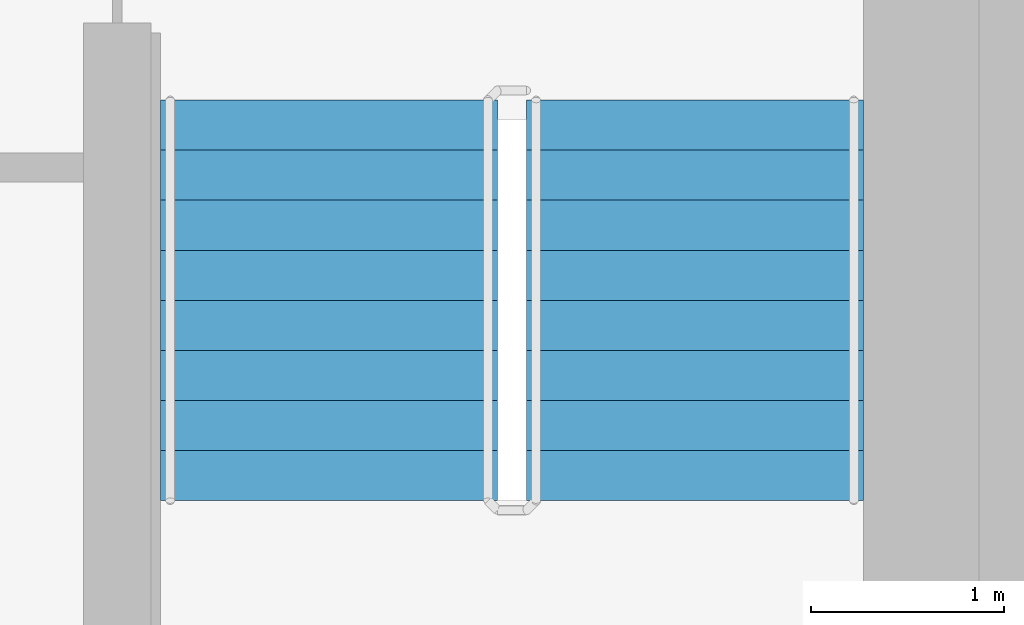
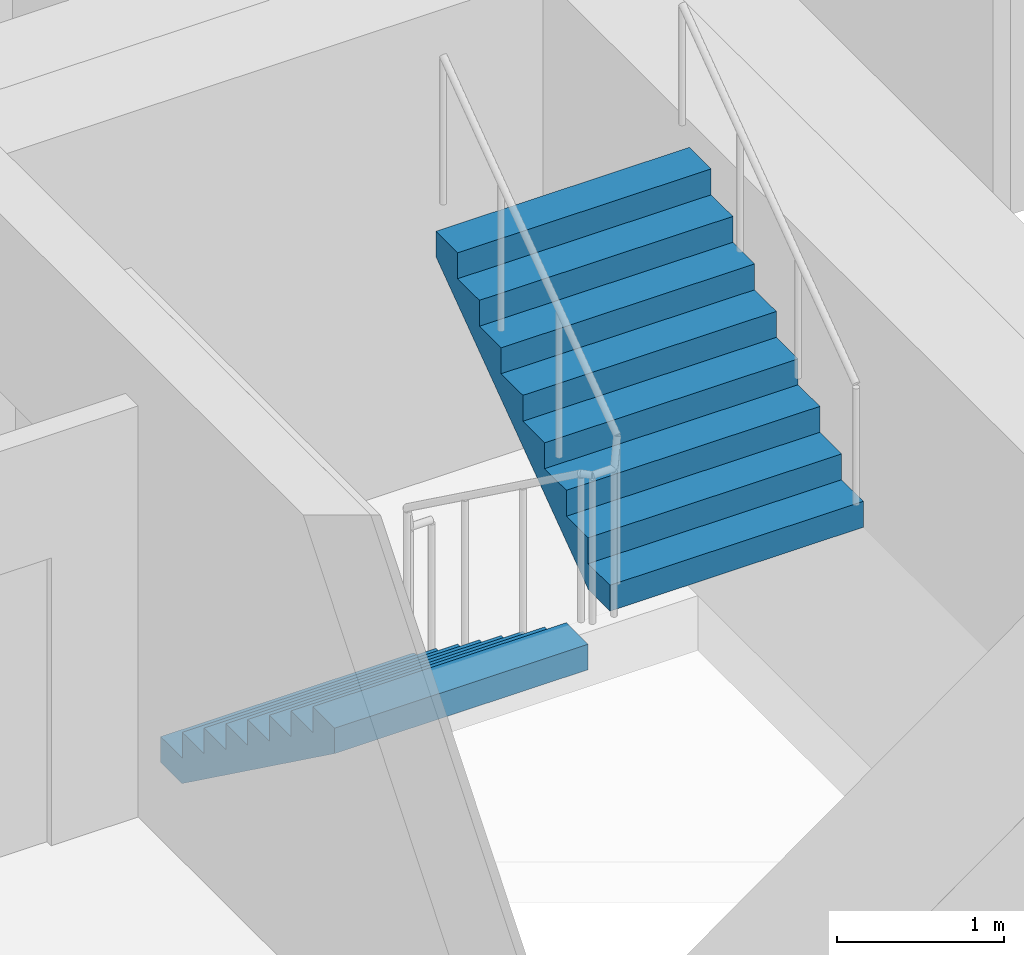
# One storey, part 14 of 18: 2 stair flights, 1 element without a shape of its own.
"""IFC4 building model written with IfcOpenShell, lengths in metres."""

from ifc_helpers import new_model, si_unit, direction, frame, origin, place, context, subcontext, project, spatial, faceted_brep, material, type_object, element, aggregate, save


model = new_model("IFC4")

# Units and contexts
model_context = context("Model", 3, precision=1e-05, world=origin(), true_north=direction((0.0, 1.0)))
body_context = subcontext(model_context, "Body", "Model", "MODEL_VIEW")
ifc_project = project(units=[si_unit("LENGTHUNIT", "METRE"), si_unit("AREAUNIT", "SQUARE_METRE"), si_unit("VOLUMEUNIT", "CUBIC_METRE"), si_unit("PLANEANGLEUNIT", "RADIAN"), si_unit("MASSUNIT", "GRAM", prefix="KILO")], contexts=[model_context])

# Site, building, storey
site_placement = place(None, origin())
site = spatial("IfcSite", under=ifc_project, at=site_placement, CompositionType="ELEMENT")
building_placement = place(site_placement, origin())
building = spatial("IfcBuilding", under=site, at=building_placement, Name="Ipe Terrace Towers", CompositionType="ELEMENT")
storey_placement = place(building_placement, frame((0.0, 0.0, 219.800048828125)))
storey = spatial("IfcBuildingStorey", under=building, at=storey_placement, Name="L61", CompositionType="ELEMENT", Elevation=219.800048828125)

# Stair, stair flights
ifc_material_1 = material(Name="Concrete C30/37", Category="concrete")
stair_type = type_object("IfcStairType", Name="Protected exit stair", PredefinedType="HALF_TURN_STAIR", material=ifc_material_1)
stair_placement = place(storey_placement, origin())
stair = element("IfcStair", 1, at=stair_placement, inside=storey, type_object=stair_type, Name="L61 Exit stair T2-C2", PredefinedType="HALF_TURN_STAIR")
ifc_material_2 = material(Name="Concrete C30/37", Category="concrete")
stair_flight_type = type_object("IfcStairFlightType", Name="Exit stair flight 1750", PredefinedType="STRAIGHT", material=ifc_material_2)
stair_flight_1_placement = place(storey_placement, frame((38.77490234375, -9.699951171875, 0.0), z_axis=(0.0, 0.0, 1.0), x_axis=(0.0, -1.0, 0.0)))
stair_flight_1 = element("IfcStairFlight", 2, at=stair_flight_1_placement, type_object=stair_flight_type, Name="T2-ST2 flight 1", NumberOfRisers=9, NumberOfTreads=8, PredefinedType="STRAIGHT", RiserHeight=0.188888889, TreadLength=0.26, context=body_context, shape_type="Brep", body=[
    faceted_brep([(0.255126953125, -0.875, 0.0), (2.080078125, -0.875, 1.325927734375), (2.080078125, -0.875, 1.51123046875), (1.820068359375, -0.875, 1.51123046875), (1.820068359375, -0.875, 1.322265625), (1.56005859375, -0.875, 1.322265625), (1.56005859375, -0.875, 1.13330078125), (1.300048828125, -0.875, 1.13330078125), (1.300048828125, -0.875, 0.9443359375), (1.0400390625, -0.875, 0.9443359375), (1.0400390625, -0.875, 0.755615234375), (0.780029296875, -0.875, 0.755615234375), (0.780029296875, -0.875, 0.566650390625), (0.52001953125, -0.875, 0.566650390625), (0.52001953125, -0.875, 0.377685546875), (0.260009765625, -0.875, 0.377685546875), (0.260009765625, -0.875, 0.18896484375), (0.0, -0.875, 0.18896484375), (0.0, -0.875, 0.0), (0.0, 0.875, 0.0), (0.0, 0.875, 0.18896484375), (0.260009765625, 0.875, 0.18896484375), (0.260009765625, 0.875, 0.377685546875), (0.52001953125, 0.875, 0.377685546875), (0.52001953125, 0.875, 0.566650390625), (0.780029296875, 0.875, 0.566650390625), (0.780029296875, 0.875, 0.755615234375), (1.0400390625, 0.875, 0.755615234375), (1.0400390625, 0.875, 0.9443359375), (1.300048828125, 0.875, 0.9443359375), (1.300048828125, 0.875, 1.13330078125), (1.56005859375, 0.875, 1.13330078125), (1.56005859375, 0.875, 1.322265625), (1.820068359375, 0.875, 1.322265625), (1.820068359375, 0.875, 1.51123046875), (2.080078125, 0.875, 1.51123046875), (2.080078125, 0.875, 1.325927734375), (0.255126953125, 0.875, 0.0), (0.0, -0.300048828125, 0.18896484375), (0.0, -0.1201171875, 0.18896484375), (0.0, -0.06005859375, 0.18896484375), (0.0, -0.030029296875, 0.18896484375), (0.0, -0.010009765625, 0.18896484375), (0.0, 0.0, 0.18896484375), (0.0, 0.010009765625, 0.18896484375), (0.0, 0.030029296875, 0.18896484375), (0.0, 0.06005859375, 0.18896484375), (0.0, 0.1201171875, 0.18896484375), (0.0, 0.300048828125, 0.18896484375), (0.0, 0.300048828125, 0.0), (0.0, 0.1201171875, 0.0), (0.0, 0.06005859375, 0.0), (0.0, 0.030029296875, 0.0), (0.0, 0.010009765625, 0.0), (0.0, 0.0, 0.0), (0.0, -0.010009765625, 0.0), (0.0, -0.030029296875, 0.0), (0.0, -0.06005859375, 0.0), (0.0, -0.1201171875, 0.0), (0.0, -0.300048828125, 0.0), (0.260009765625, -0.300048828125, 0.18896484375), (0.260009765625, -0.1201171875, 0.18896484375), (0.260009765625, -0.06005859375, 0.18896484375), (0.260009765625, -0.030029296875, 0.18896484375), (0.260009765625, -0.010009765625, 0.18896484375), (0.260009765625, 0.0, 0.18896484375), (0.260009765625, 0.010009765625, 0.18896484375), (0.260009765625, 0.030029296875, 0.18896484375), (0.260009765625, 0.06005859375, 0.18896484375), (0.260009765625, 0.1201171875, 0.18896484375), (0.260009765625, 0.300048828125, 0.18896484375), (0.260009765625, -0.300048828125, 0.377685546875), (0.260009765625, -0.1201171875, 0.377685546875), (0.260009765625, -0.06005859375, 0.377685546875), (0.260009765625, -0.030029296875, 0.377685546875), (0.260009765625, -0.010009765625, 0.377685546875), (0.260009765625, 0.0, 0.377685546875), (0.260009765625, 0.010009765625, 0.377685546875), (0.260009765625, 0.030029296875, 0.377685546875), (0.260009765625, 0.06005859375, 0.377685546875), (0.260009765625, 0.1201171875, 0.377685546875), (0.260009765625, 0.300048828125, 0.377685546875), (0.52001953125, -0.300048828125, 0.377685546875), (0.52001953125, -0.1201171875, 0.377685546875), (0.52001953125, -0.06005859375, 0.377685546875), (0.52001953125, -0.030029296875, 0.377685546875), (0.52001953125, -0.010009765625, 0.377685546875), (0.52001953125, 0.0, 0.377685546875), (0.52001953125, 0.010009765625, 0.377685546875), (0.52001953125, 0.030029296875, 0.377685546875), (0.52001953125, 0.06005859375, 0.377685546875), (0.52001953125, 0.1201171875, 0.377685546875), (0.52001953125, 0.300048828125, 0.377685546875), (0.52001953125, -0.300048828125, 0.566650390625), (0.52001953125, -0.1201171875, 0.566650390625), (0.52001953125, -0.06005859375, 0.566650390625), (0.52001953125, -0.030029296875, 0.566650390625), (0.52001953125, -0.010009765625, 0.566650390625), (0.52001953125, 0.0, 0.566650390625), (0.52001953125, 0.010009765625, 0.566650390625), (0.52001953125, 0.030029296875, 0.566650390625), (0.52001953125, 0.06005859375, 0.566650390625), (0.52001953125, 0.1201171875, 0.566650390625), (0.52001953125, 0.300048828125, 0.566650390625), (0.780029296875, -0.300048828125, 0.566650390625), (0.780029296875, -0.1201171875, 0.566650390625), (0.780029296875, -0.06005859375, 0.566650390625), (0.780029296875, -0.030029296875, 0.566650390625), (0.780029296875, -0.010009765625, 0.566650390625), (0.780029296875, 0.0, 0.566650390625), (0.780029296875, 0.010009765625, 0.566650390625), (0.780029296875, 0.030029296875, 0.566650390625), (0.780029296875, 0.06005859375, 0.566650390625), (0.780029296875, 0.1201171875, 0.566650390625), (0.780029296875, 0.300048828125, 0.566650390625), (0.780029296875, -0.300048828125, 0.755615234375), (0.780029296875, -0.1201171875, 0.755615234375), (0.780029296875, -0.06005859375, 0.755615234375), (0.780029296875, -0.030029296875, 0.755615234375), (0.780029296875, -0.010009765625, 0.755615234375), (0.780029296875, 0.0, 0.755615234375), (0.780029296875, 0.010009765625, 0.755615234375), (0.780029296875, 0.030029296875, 0.755615234375), (0.780029296875, 0.06005859375, 0.755615234375), (0.780029296875, 0.1201171875, 0.755615234375), (0.780029296875, 0.300048828125, 0.755615234375), (1.0400390625, -0.300048828125, 0.755615234375), (1.0400390625, -0.1201171875, 0.755615234375), (1.0400390625, -0.06005859375, 0.755615234375), (1.0400390625, -0.030029296875, 0.755615234375), (1.0400390625, -0.010009765625, 0.755615234375), (1.0400390625, 0.0, 0.755615234375), (1.0400390625, 0.010009765625, 0.755615234375), (1.0400390625, 0.030029296875, 0.755615234375), (1.0400390625, 0.06005859375, 0.755615234375), (1.0400390625, 0.1201171875, 0.755615234375), (1.0400390625, 0.300048828125, 0.755615234375), (1.0400390625, -0.300048828125, 0.9443359375), (1.0400390625, -0.1201171875, 0.9443359375), (1.0400390625, -0.06005859375, 0.9443359375), (1.0400390625, -0.030029296875, 0.9443359375), (1.0400390625, -0.010009765625, 0.9443359375), (1.0400390625, 0.0, 0.9443359375), (1.0400390625, 0.010009765625, 0.9443359375), (1.0400390625, 0.030029296875, 0.9443359375), (1.0400390625, 0.06005859375, 0.9443359375), (1.0400390625, 0.1201171875, 0.9443359375), (1.0400390625, 0.300048828125, 0.9443359375), (1.300048828125, -0.300048828125, 0.9443359375), (1.300048828125, -0.1201171875, 0.9443359375), (1.300048828125, -0.06005859375, 0.9443359375), (1.300048828125, -0.030029296875, 0.9443359375), (1.300048828125, -0.010009765625, 0.9443359375), (1.300048828125, 0.0, 0.9443359375), (1.300048828125, 0.010009765625, 0.9443359375), (1.300048828125, 0.030029296875, 0.9443359375), (1.300048828125, 0.06005859375, 0.9443359375), (1.300048828125, 0.1201171875, 0.9443359375), (1.300048828125, 0.300048828125, 0.9443359375), (1.300048828125, -0.300048828125, 1.13330078125), (1.300048828125, -0.1201171875, 1.13330078125), (1.300048828125, -0.06005859375, 1.13330078125), (1.300048828125, -0.030029296875, 1.13330078125), (1.300048828125, -0.010009765625, 1.13330078125), (1.300048828125, 0.0, 1.13330078125), (1.300048828125, 0.010009765625, 1.13330078125), (1.300048828125, 0.030029296875, 1.13330078125), (1.300048828125, 0.06005859375, 1.13330078125), (1.300048828125, 0.1201171875, 1.13330078125), (1.300048828125, 0.300048828125, 1.13330078125), (1.56005859375, -0.300048828125, 1.13330078125), (1.56005859375, -0.1201171875, 1.13330078125), (1.56005859375, -0.06005859375, 1.13330078125), (1.56005859375, -0.030029296875, 1.13330078125), (1.56005859375, -0.010009765625, 1.13330078125), (1.56005859375, 0.0, 1.13330078125), (1.56005859375, 0.010009765625, 1.13330078125), (1.56005859375, 0.030029296875, 1.13330078125), (1.56005859375, 0.06005859375, 1.13330078125), (1.56005859375, 0.1201171875, 1.13330078125), (1.56005859375, 0.300048828125, 1.13330078125), (1.56005859375, -0.300048828125, 1.322265625), (1.56005859375, -0.1201171875, 1.322265625), (1.56005859375, -0.06005859375, 1.322265625), (1.56005859375, -0.030029296875, 1.322265625), (1.56005859375, -0.010009765625, 1.322265625), (1.56005859375, 0.0, 1.322265625), (1.56005859375, 0.010009765625, 1.322265625), (1.56005859375, 0.030029296875, 1.322265625), (1.56005859375, 0.06005859375, 1.322265625), (1.56005859375, 0.1201171875, 1.322265625), (1.56005859375, 0.300048828125, 1.322265625), (1.820068359375, -0.300048828125, 1.322265625), (1.820068359375, -0.1201171875, 1.322265625), (1.820068359375, -0.06005859375, 1.322265625), (1.820068359375, -0.030029296875, 1.322265625), (1.820068359375, -0.010009765625, 1.322265625), (1.820068359375, 0.0, 1.322265625), (1.820068359375, 0.010009765625, 1.322265625), (1.820068359375, 0.030029296875, 1.322265625), (1.820068359375, 0.06005859375, 1.322265625), (1.820068359375, 0.1201171875, 1.322265625), (1.820068359375, 0.300048828125, 1.322265625), (1.820068359375, -0.300048828125, 1.51123046875), (1.820068359375, -0.1201171875, 1.51123046875), (1.820068359375, -0.06005859375, 1.51123046875), (1.820068359375, -0.030029296875, 1.51123046875), (1.820068359375, -0.010009765625, 1.51123046875), (1.820068359375, 0.0, 1.51123046875), (1.820068359375, 0.010009765625, 1.51123046875), (1.820068359375, 0.030029296875, 1.51123046875), (1.820068359375, 0.06005859375, 1.51123046875), (1.820068359375, 0.1201171875, 1.51123046875), (1.820068359375, 0.300048828125, 1.51123046875), (2.080078125, -0.300048828125, 1.51123046875), (2.080078125, -0.1201171875, 1.51123046875), (2.080078125, -0.06005859375, 1.51123046875), (2.080078125, -0.030029296875, 1.51123046875), (2.080078125, -0.010009765625, 1.51123046875), (2.080078125, 0.0, 1.51123046875), (2.080078125, 0.010009765625, 1.51123046875), (2.080078125, 0.030029296875, 1.51123046875), (2.080078125, 0.06005859375, 1.51123046875), (2.080078125, 0.1201171875, 1.51123046875), (2.080078125, 0.300048828125, 1.51123046875), (2.080078125, -0.300048828125, 1.325927734375), (2.080078125, -0.1201171875, 1.325927734375), (2.080078125, -0.06005859375, 1.325927734375), (2.080078125, -0.030029296875, 1.325927734375), (2.080078125, -0.010009765625, 1.325927734375), (2.080078125, 0.0, 1.325927734375), (2.080078125, 0.010009765625, 1.325927734375), (2.080078125, 0.030029296875, 1.325927734375), (2.080078125, 0.06005859375, 1.325927734375), (2.080078125, 0.1201171875, 1.325927734375), (2.080078125, 0.300048828125, 1.325927734375), (0.255126953125, -0.300048828125, 0.0), (0.255126953125, -0.1201171875, 0.0), (0.255126953125, -0.06005859375, 0.0), (0.255126953125, -0.030029296875, 0.0), (0.255126953125, -0.010009765625, 0.0), (0.255126953125, 0.0, 0.0), (0.255126953125, 0.010009765625, 0.0), (0.255126953125, 0.030029296875, 0.0), (0.255126953125, 0.06005859375, 0.0), (0.255126953125, 0.1201171875, 0.0), (0.255126953125, 0.300048828125, 0.0)], [[[0, 1, 2, 3, 4, 5, 6, 7, 8, 9, 10, 11, 12, 13, 14, 15, 16, 17, 18]], [[19, 20, 21, 22, 23, 24, 25, 26, 27, 28, 29, 30, 31, 32, 33, 34, 35, 36, 37]], [[17, 38, 39, 40, 41, 42, 43, 44, 45, 46, 47, 48, 20, 19, 49, 50, 51, 52, 53, 54, 55, 56, 57, 58, 59, 18]], [[16, 60, 61, 62, 63, 64, 65, 66, 67, 68, 69, 70, 21, 20, 48, 47, 46, 45, 44, 43, 42, 41, 40, 39, 38, 17]], [[15, 71, 72, 73, 74, 75, 76, 77, 78, 79, 80, 81, 22, 21, 70, 69, 68, 67, 66, 65, 64, 63, 62, 61, 60, 16]], [[14, 82, 83, 84, 85, 86, 87, 88, 89, 90, 91, 92, 23, 22, 81, 80, 79, 78, 77, 76, 75, 74, 73, 72, 71, 15]], [[13, 93, 94, 95, 96, 97, 98, 99, 100, 101, 102, 103, 24, 23, 92, 91, 90, 89, 88, 87, 86, 85, 84, 83, 82, 14]], [[12, 104, 105, 106, 107, 108, 109, 110, 111, 112, 113, 114, 25, 24, 103, 102, 101, 100, 99, 98, 97, 96, 95, 94, 93, 13]], [[11, 115, 116, 117, 118, 119, 120, 121, 122, 123, 124, 125, 26, 25, 114, 113, 112, 111, 110, 109, 108, 107, 106, 105, 104, 12]], [[10, 126, 127, 128, 129, 130, 131, 132, 133, 134, 135, 136, 27, 26, 125, 124, 123, 122, 121, 120, 119, 118, 117, 116, 115, 11]], [[9, 137, 138, 139, 140, 141, 142, 143, 144, 145, 146, 147, 28, 27, 136, 135, 134, 133, 132, 131, 130, 129, 128, 127, 126, 10]], [[8, 148, 149, 150, 151, 152, 153, 154, 155, 156, 157, 158, 29, 28, 147, 146, 145, 144, 143, 142, 141, 140, 139, 138, 137, 9]], [[7, 159, 160, 161, 162, 163, 164, 165, 166, 167, 168, 169, 30, 29, 158, 157, 156, 155, 154, 153, 152, 151, 150, 149, 148, 8]], [[6, 170, 171, 172, 173, 174, 175, 176, 177, 178, 179, 180, 31, 30, 169, 168, 167, 166, 165, 164, 163, 162, 161, 160, 159, 7]], [[5, 181, 182, 183, 184, 185, 186, 187, 188, 189, 190, 191, 32, 31, 180, 179, 178, 177, 176, 175, 174, 173, 172, 171, 170, 6]], [[4, 192, 193, 194, 195, 196, 197, 198, 199, 200, 201, 202, 33, 32, 191, 190, 189, 188, 187, 186, 185, 184, 183, 182, 181, 5]], [[3, 203, 204, 205, 206, 207, 208, 209, 210, 211, 212, 213, 34, 33, 202, 201, 200, 199, 198, 197, 196, 195, 194, 193, 192, 4]], [[2, 214, 215, 216, 217, 218, 219, 220, 221, 222, 223, 224, 35, 34, 213, 212, 211, 210, 209, 208, 207, 206, 205, 204, 203, 3]], [[1, 225, 226, 227, 228, 229, 230, 231, 232, 233, 234, 235, 36, 35, 224, 223, 222, 221, 220, 219, 218, 217, 216, 215, 214, 2]], [[0, 236, 237, 238, 239, 240, 241, 242, 243, 244, 245, 246, 37, 36, 235, 234, 233, 232, 231, 230, 229, 228, 227, 226, 225, 1]], [[18, 59, 58, 57, 56, 55, 54, 53, 52, 51, 50, 49, 19, 37, 246, 245, 244, 243, 242, 241, 240, 239, 238, 237, 236, 0]]]),
])
stair_flight_2_placement = place(storey_placement, frame((40.675048828125, -11.780029296875, 1.699951171875), z_axis=(0.0, 0.0, 1.0), x_axis=(0.0, 1.0, 0.0)))
stair_flight_2 = element("IfcStairFlight", 3, at=stair_flight_2_placement, type_object=stair_flight_type, Name="T2-ST2 flight 2", NumberOfRisers=9, NumberOfTreads=8, PredefinedType="STRAIGHT", RiserHeight=0.188888889, TreadLength=0.26, context=body_context, shape_type="Brep", body=[
    faceted_brep([(0.255126953125, -0.875, 0.0), (2.080078125, -0.875, 1.325927734375), (2.080078125, -0.875, 1.51123046875), (1.820068359375, -0.875, 1.51123046875), (1.820068359375, -0.875, 1.322265625), (1.56005859375, -0.875, 1.322265625), (1.56005859375, -0.875, 1.13330078125), (1.300048828125, -0.875, 1.13330078125), (1.300048828125, -0.875, 0.9443359375), (1.0400390625, -0.875, 0.9443359375), (1.0400390625, -0.875, 0.755615234375), (0.780029296875, -0.875, 0.755615234375), (0.780029296875, -0.875, 0.566650390625), (0.52001953125, -0.875, 0.566650390625), (0.52001953125, -0.875, 0.377685546875), (0.260009765625, -0.875, 0.377685546875), (0.260009765625, -0.875, 0.18896484375), (0.0, -0.875, 0.18896484375), (0.0, -0.875, 0.0), (0.0, 0.875, 0.0), (0.0, 0.875, 0.18896484375), (0.260009765625, 0.875, 0.18896484375), (0.260009765625, 0.875, 0.377685546875), (0.52001953125, 0.875, 0.377685546875), (0.52001953125, 0.875, 0.566650390625), (0.780029296875, 0.875, 0.566650390625), (0.780029296875, 0.875, 0.755615234375), (1.0400390625, 0.875, 0.755615234375), (1.0400390625, 0.875, 0.9443359375), (1.300048828125, 0.875, 0.9443359375), (1.300048828125, 0.875, 1.13330078125), (1.56005859375, 0.875, 1.13330078125), (1.56005859375, 0.875, 1.322265625), (1.820068359375, 0.875, 1.322265625), (1.820068359375, 0.875, 1.51123046875), (2.080078125, 0.875, 1.51123046875), (2.080078125, 0.875, 1.325927734375), (0.255126953125, 0.875, 0.0), (0.0, -0.300048828125, 0.18896484375), (0.0, -0.1201171875, 0.18896484375), (0.0, -0.06005859375, 0.18896484375), (0.0, -0.030029296875, 0.18896484375), (0.0, -0.010009765625, 0.18896484375), (0.0, 0.0, 0.18896484375), (0.0, 0.010009765625, 0.18896484375), (0.0, 0.030029296875, 0.18896484375), (0.0, 0.06005859375, 0.18896484375), (0.0, 0.1201171875, 0.18896484375), (0.0, 0.300048828125, 0.18896484375), (0.0, 0.300048828125, 0.0), (0.0, 0.1201171875, 0.0), (0.0, 0.06005859375, 0.0), (0.0, 0.030029296875, 0.0), (0.0, 0.010009765625, 0.0), (0.0, 0.0, 0.0), (0.0, -0.010009765625, 0.0), (0.0, -0.030029296875, 0.0), (0.0, -0.06005859375, 0.0), (0.0, -0.1201171875, 0.0), (0.0, -0.300048828125, 0.0), (0.260009765625, -0.300048828125, 0.18896484375), (0.260009765625, -0.1201171875, 0.18896484375), (0.260009765625, -0.06005859375, 0.18896484375), (0.260009765625, -0.030029296875, 0.18896484375), (0.260009765625, -0.010009765625, 0.18896484375), (0.260009765625, 0.0, 0.18896484375), (0.260009765625, 0.010009765625, 0.18896484375), (0.260009765625, 0.030029296875, 0.18896484375), (0.260009765625, 0.06005859375, 0.18896484375), (0.260009765625, 0.1201171875, 0.18896484375), (0.260009765625, 0.300048828125, 0.18896484375), (0.260009765625, -0.300048828125, 0.377685546875), (0.260009765625, -0.1201171875, 0.377685546875), (0.260009765625, -0.06005859375, 0.377685546875), (0.260009765625, -0.030029296875, 0.377685546875), (0.260009765625, -0.010009765625, 0.377685546875), (0.260009765625, 0.0, 0.377685546875), (0.260009765625, 0.010009765625, 0.377685546875), (0.260009765625, 0.030029296875, 0.377685546875), (0.260009765625, 0.06005859375, 0.377685546875), (0.260009765625, 0.1201171875, 0.377685546875), (0.260009765625, 0.300048828125, 0.377685546875), (0.52001953125, -0.300048828125, 0.377685546875), (0.52001953125, -0.1201171875, 0.377685546875), (0.52001953125, -0.06005859375, 0.377685546875), (0.52001953125, -0.030029296875, 0.377685546875), (0.52001953125, -0.010009765625, 0.377685546875), (0.52001953125, 0.0, 0.377685546875), (0.52001953125, 0.010009765625, 0.377685546875), (0.52001953125, 0.030029296875, 0.377685546875), (0.52001953125, 0.06005859375, 0.377685546875), (0.52001953125, 0.1201171875, 0.377685546875), (0.52001953125, 0.300048828125, 0.377685546875), (0.52001953125, -0.300048828125, 0.566650390625), (0.52001953125, -0.1201171875, 0.566650390625), (0.52001953125, -0.06005859375, 0.566650390625), (0.52001953125, -0.030029296875, 0.566650390625), (0.52001953125, -0.010009765625, 0.566650390625), (0.52001953125, 0.0, 0.566650390625), (0.52001953125, 0.010009765625, 0.566650390625), (0.52001953125, 0.030029296875, 0.566650390625), (0.52001953125, 0.06005859375, 0.566650390625), (0.52001953125, 0.1201171875, 0.566650390625), (0.52001953125, 0.300048828125, 0.566650390625), (0.780029296875, -0.300048828125, 0.566650390625), (0.780029296875, -0.1201171875, 0.566650390625), (0.780029296875, -0.06005859375, 0.566650390625), (0.780029296875, -0.030029296875, 0.566650390625), (0.780029296875, -0.010009765625, 0.566650390625), (0.780029296875, 0.0, 0.566650390625), (0.780029296875, 0.010009765625, 0.566650390625), (0.780029296875, 0.030029296875, 0.566650390625), (0.780029296875, 0.06005859375, 0.566650390625), (0.780029296875, 0.1201171875, 0.566650390625), (0.780029296875, 0.300048828125, 0.566650390625), (0.780029296875, -0.300048828125, 0.755615234375), (0.780029296875, -0.1201171875, 0.755615234375), (0.780029296875, -0.06005859375, 0.755615234375), (0.780029296875, -0.030029296875, 0.755615234375), (0.780029296875, -0.010009765625, 0.755615234375), (0.780029296875, 0.0, 0.755615234375), (0.780029296875, 0.010009765625, 0.755615234375), (0.780029296875, 0.030029296875, 0.755615234375), (0.780029296875, 0.06005859375, 0.755615234375), (0.780029296875, 0.1201171875, 0.755615234375), (0.780029296875, 0.300048828125, 0.755615234375), (1.0400390625, -0.300048828125, 0.755615234375), (1.0400390625, -0.1201171875, 0.755615234375), (1.0400390625, -0.06005859375, 0.755615234375), (1.0400390625, -0.030029296875, 0.755615234375), (1.0400390625, -0.010009765625, 0.755615234375), (1.0400390625, 0.0, 0.755615234375), (1.0400390625, 0.010009765625, 0.755615234375), (1.0400390625, 0.030029296875, 0.755615234375), (1.0400390625, 0.06005859375, 0.755615234375), (1.0400390625, 0.1201171875, 0.755615234375), (1.0400390625, 0.300048828125, 0.755615234375), (1.0400390625, -0.300048828125, 0.9443359375), (1.0400390625, -0.1201171875, 0.9443359375), (1.0400390625, -0.06005859375, 0.9443359375), (1.0400390625, -0.030029296875, 0.9443359375), (1.0400390625, -0.010009765625, 0.9443359375), (1.0400390625, 0.0, 0.9443359375), (1.0400390625, 0.010009765625, 0.9443359375), (1.0400390625, 0.030029296875, 0.9443359375), (1.0400390625, 0.06005859375, 0.9443359375), (1.0400390625, 0.1201171875, 0.9443359375), (1.0400390625, 0.300048828125, 0.9443359375), (1.300048828125, -0.300048828125, 0.9443359375), (1.300048828125, -0.1201171875, 0.9443359375), (1.300048828125, -0.06005859375, 0.9443359375), (1.300048828125, -0.030029296875, 0.9443359375), (1.300048828125, -0.010009765625, 0.9443359375), (1.300048828125, 0.0, 0.9443359375), (1.300048828125, 0.010009765625, 0.9443359375), (1.300048828125, 0.030029296875, 0.9443359375), (1.300048828125, 0.06005859375, 0.9443359375), (1.300048828125, 0.1201171875, 0.9443359375), (1.300048828125, 0.300048828125, 0.9443359375), (1.300048828125, -0.300048828125, 1.13330078125), (1.300048828125, -0.1201171875, 1.13330078125), (1.300048828125, -0.06005859375, 1.13330078125), (1.300048828125, -0.030029296875, 1.13330078125), (1.300048828125, -0.010009765625, 1.13330078125), (1.300048828125, 0.0, 1.13330078125), (1.300048828125, 0.010009765625, 1.13330078125), (1.300048828125, 0.030029296875, 1.13330078125), (1.300048828125, 0.06005859375, 1.13330078125), (1.300048828125, 0.1201171875, 1.13330078125), (1.300048828125, 0.300048828125, 1.13330078125), (1.56005859375, -0.300048828125, 1.13330078125), (1.56005859375, -0.1201171875, 1.13330078125), (1.56005859375, -0.06005859375, 1.13330078125), (1.56005859375, -0.030029296875, 1.13330078125), (1.56005859375, -0.010009765625, 1.13330078125), (1.56005859375, 0.0, 1.13330078125), (1.56005859375, 0.010009765625, 1.13330078125), (1.56005859375, 0.030029296875, 1.13330078125), (1.56005859375, 0.06005859375, 1.13330078125), (1.56005859375, 0.1201171875, 1.13330078125), (1.56005859375, 0.300048828125, 1.13330078125), (1.56005859375, -0.300048828125, 1.322265625), (1.56005859375, -0.1201171875, 1.322265625), (1.56005859375, -0.06005859375, 1.322265625), (1.56005859375, -0.030029296875, 1.322265625), (1.56005859375, -0.010009765625, 1.322265625), (1.56005859375, 0.0, 1.322265625), (1.56005859375, 0.010009765625, 1.322265625), (1.56005859375, 0.030029296875, 1.322265625), (1.56005859375, 0.06005859375, 1.322265625), (1.56005859375, 0.1201171875, 1.322265625), (1.56005859375, 0.300048828125, 1.322265625), (1.820068359375, -0.300048828125, 1.322265625), (1.820068359375, -0.1201171875, 1.322265625), (1.820068359375, -0.06005859375, 1.322265625), (1.820068359375, -0.030029296875, 1.322265625), (1.820068359375, -0.010009765625, 1.322265625), (1.820068359375, 0.0, 1.322265625), (1.820068359375, 0.010009765625, 1.322265625), (1.820068359375, 0.030029296875, 1.322265625), (1.820068359375, 0.06005859375, 1.322265625), (1.820068359375, 0.1201171875, 1.322265625), (1.820068359375, 0.300048828125, 1.322265625), (1.820068359375, -0.300048828125, 1.51123046875), (1.820068359375, -0.1201171875, 1.51123046875), (1.820068359375, -0.06005859375, 1.51123046875), (1.820068359375, -0.030029296875, 1.51123046875), (1.820068359375, -0.010009765625, 1.51123046875), (1.820068359375, 0.0, 1.51123046875), (1.820068359375, 0.010009765625, 1.51123046875), (1.820068359375, 0.030029296875, 1.51123046875), (1.820068359375, 0.06005859375, 1.51123046875), (1.820068359375, 0.1201171875, 1.51123046875), (1.820068359375, 0.300048828125, 1.51123046875), (2.080078125, -0.300048828125, 1.51123046875), (2.080078125, -0.1201171875, 1.51123046875), (2.080078125, -0.06005859375, 1.51123046875), (2.080078125, -0.030029296875, 1.51123046875), (2.080078125, -0.010009765625, 1.51123046875), (2.080078125, 0.0, 1.51123046875), (2.080078125, 0.010009765625, 1.51123046875), (2.080078125, 0.030029296875, 1.51123046875), (2.080078125, 0.06005859375, 1.51123046875), (2.080078125, 0.1201171875, 1.51123046875), (2.080078125, 0.300048828125, 1.51123046875), (2.080078125, -0.300048828125, 1.325927734375), (2.080078125, -0.1201171875, 1.325927734375), (2.080078125, -0.06005859375, 1.325927734375), (2.080078125, -0.030029296875, 1.325927734375), (2.080078125, -0.010009765625, 1.325927734375), (2.080078125, 0.0, 1.325927734375), (2.080078125, 0.010009765625, 1.325927734375), (2.080078125, 0.030029296875, 1.325927734375), (2.080078125, 0.06005859375, 1.325927734375), (2.080078125, 0.1201171875, 1.325927734375), (2.080078125, 0.300048828125, 1.325927734375), (0.255126953125, -0.300048828125, 0.0), (0.255126953125, -0.1201171875, 0.0), (0.255126953125, -0.06005859375, 0.0), (0.255126953125, -0.030029296875, 0.0), (0.255126953125, -0.010009765625, 0.0), (0.255126953125, 0.0, 0.0), (0.255126953125, 0.010009765625, 0.0), (0.255126953125, 0.030029296875, 0.0), (0.255126953125, 0.06005859375, 0.0), (0.255126953125, 0.1201171875, 0.0), (0.255126953125, 0.300048828125, 0.0)], [[[0, 1, 2, 3, 4, 5, 6, 7, 8, 9, 10, 11, 12, 13, 14, 15, 16, 17, 18]], [[19, 20, 21, 22, 23, 24, 25, 26, 27, 28, 29, 30, 31, 32, 33, 34, 35, 36, 37]], [[17, 38, 39, 40, 41, 42, 43, 44, 45, 46, 47, 48, 20, 19, 49, 50, 51, 52, 53, 54, 55, 56, 57, 58, 59, 18]], [[16, 60, 61, 62, 63, 64, 65, 66, 67, 68, 69, 70, 21, 20, 48, 47, 46, 45, 44, 43, 42, 41, 40, 39, 38, 17]], [[15, 71, 72, 73, 74, 75, 76, 77, 78, 79, 80, 81, 22, 21, 70, 69, 68, 67, 66, 65, 64, 63, 62, 61, 60, 16]], [[14, 82, 83, 84, 85, 86, 87, 88, 89, 90, 91, 92, 23, 22, 81, 80, 79, 78, 77, 76, 75, 74, 73, 72, 71, 15]], [[13, 93, 94, 95, 96, 97, 98, 99, 100, 101, 102, 103, 24, 23, 92, 91, 90, 89, 88, 87, 86, 85, 84, 83, 82, 14]], [[12, 104, 105, 106, 107, 108, 109, 110, 111, 112, 113, 114, 25, 24, 103, 102, 101, 100, 99, 98, 97, 96, 95, 94, 93, 13]], [[11, 115, 116, 117, 118, 119, 120, 121, 122, 123, 124, 125, 26, 25, 114, 113, 112, 111, 110, 109, 108, 107, 106, 105, 104, 12]], [[10, 126, 127, 128, 129, 130, 131, 132, 133, 134, 135, 136, 27, 26, 125, 124, 123, 122, 121, 120, 119, 118, 117, 116, 115, 11]], [[9, 137, 138, 139, 140, 141, 142, 143, 144, 145, 146, 147, 28, 27, 136, 135, 134, 133, 132, 131, 130, 129, 128, 127, 126, 10]], [[8, 148, 149, 150, 151, 152, 153, 154, 155, 156, 157, 158, 29, 28, 147, 146, 145, 144, 143, 142, 141, 140, 139, 138, 137, 9]], [[7, 159, 160, 161, 162, 163, 164, 165, 166, 167, 168, 169, 30, 29, 158, 157, 156, 155, 154, 153, 152, 151, 150, 149, 148, 8]], [[6, 170, 171, 172, 173, 174, 175, 176, 177, 178, 179, 180, 31, 30, 169, 168, 167, 166, 165, 164, 163, 162, 161, 160, 159, 7]], [[5, 181, 182, 183, 184, 185, 186, 187, 188, 189, 190, 191, 32, 31, 180, 179, 178, 177, 176, 175, 174, 173, 172, 171, 170, 6]], [[4, 192, 193, 194, 195, 196, 197, 198, 199, 200, 201, 202, 33, 32, 191, 190, 189, 188, 187, 186, 185, 184, 183, 182, 181, 5]], [[3, 203, 204, 205, 206, 207, 208, 209, 210, 211, 212, 213, 34, 33, 202, 201, 200, 199, 198, 197, 196, 195, 194, 193, 192, 4]], [[2, 214, 215, 216, 217, 218, 219, 220, 221, 222, 223, 224, 35, 34, 213, 212, 211, 210, 209, 208, 207, 206, 205, 204, 203, 3]], [[1, 225, 226, 227, 228, 229, 230, 231, 232, 233, 234, 235, 36, 35, 224, 223, 222, 221, 220, 219, 218, 217, 216, 215, 214, 2]], [[0, 236, 237, 238, 239, 240, 241, 242, 243, 244, 245, 246, 37, 36, 235, 234, 233, 232, 231, 230, 229, 228, 227, 226, 225, 1]], [[18, 59, 58, 57, 56, 55, 54, 53, 52, 51, 50, 49, 19, 37, 246, 245, 244, 243, 242, 241, 240, 239, 238, 237, 236, 0]]]),
])
aggregate(stair, [stair_flight_1, stair_flight_2])

save(model, "model.ifc")
